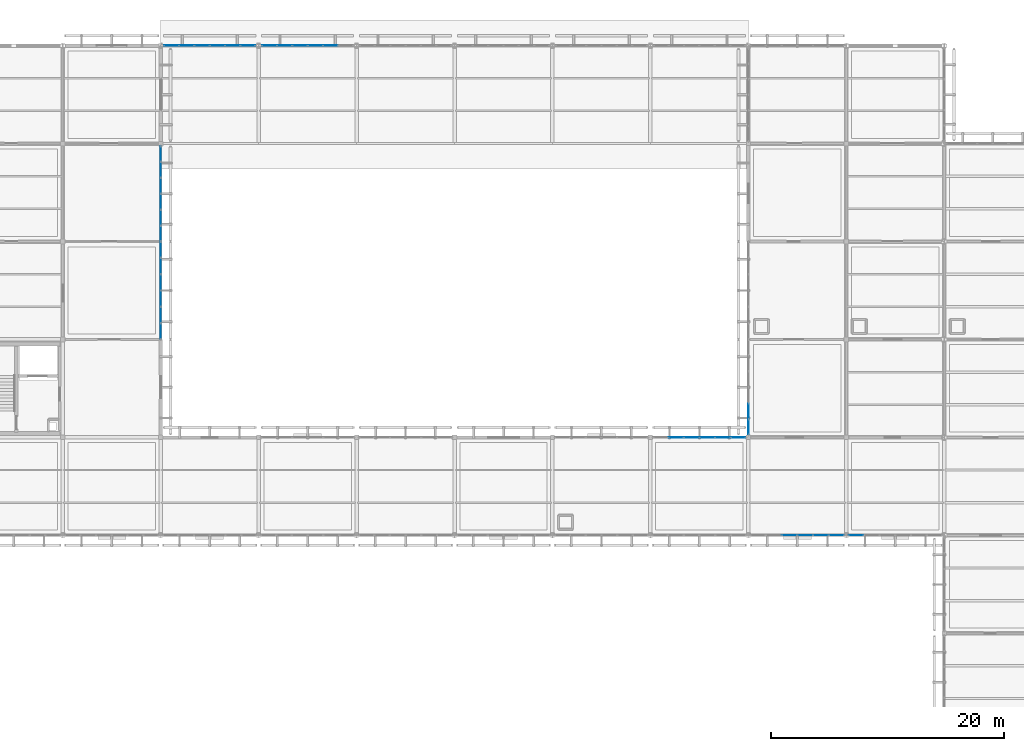
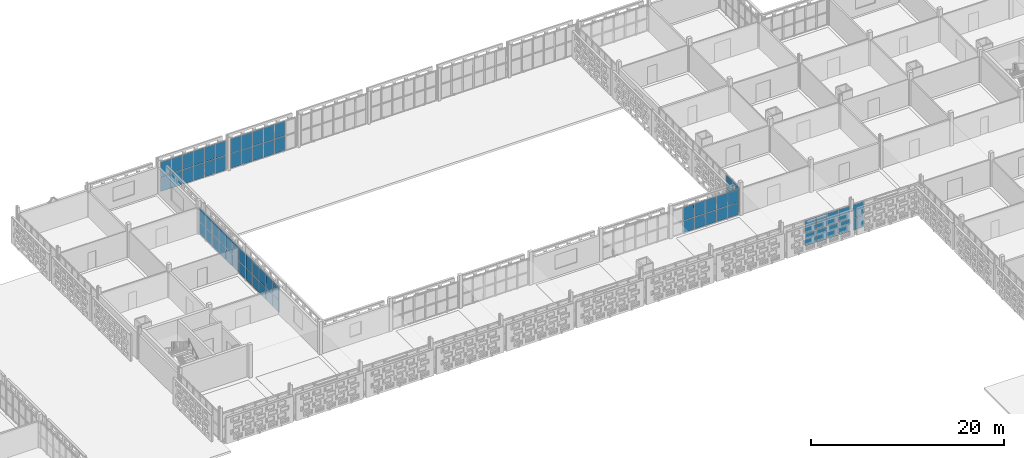
# One storey, part 86 of 166: 70 plates, 8 elements without a shape of their own.
"""IFC4 building model written with IfcOpenShell, lengths in metres."""

from ifc_helpers import new_model, si_unit, direction, frame, origin, origin_2d, place, context, subcontext, project, spatial, rectangle, extrude, material, layer, layer_set, type_object, element, aggregate, save


model = new_model("IFC4")

# Units and contexts
model_context = context("Model", 3, precision=1e-05, world=origin(), true_north=direction((0.0, 1.0)))
body_context = subcontext(model_context, "Body", "Model", "MODEL_VIEW")
ifc_project = project(units=[si_unit("LENGTHUNIT", "METRE"), si_unit("AREAUNIT", "SQUARE_METRE"), si_unit("VOLUMEUNIT", "CUBIC_METRE"), si_unit("PLANEANGLEUNIT", "RADIAN"), si_unit("MASSUNIT", "GRAM", prefix="KILO")], contexts=[model_context])

# Site, building, storey
site_placement = place(None, origin())
site = spatial("IfcSite", under=ifc_project, at=site_placement, CompositionType="ELEMENT")
building_placement = place(site_placement, origin())
building = spatial("IfcBuilding", under=site, at=building_placement, Name="Varnapada Polytechnic", CompositionType="ELEMENT")
storey_placement = place(building_placement, frame((0.0, 0.0, 9.60009765625)))
storey = spatial("IfcBuildingStorey", under=building, at=storey_placement, Name="L02", CompositionType="ELEMENT", Elevation=9.60009765625)

# Curtain wall, plates
ifc_material = material(Name="Double low-E laminated glass", Category="glass")
ifc_layer_1 = layer(ifc_material, 0.159912109375)
ifc_layer_set_1 = layer_set([ifc_layer_1], Name="Double low-E laminated glass")
curtain_wall_type_1 = type_object("IfcCurtainWallType", Name="Curtain Wall CW-02", PredefinedType="NOTDEFINED", material=ifc_layer_set_1)
curtain_wall_1_placement = place(storey_placement, origin())
curtain_wall_1 = element("IfcCurtainWall", 1, at=curtain_wall_1_placement, inside=storey, type_object=curtain_wall_type_1, Name="L02 unitised curtain wall CW-02 (163)", PredefinedType="NOTDEFINED")
ifc_layer_2 = layer(ifc_material, 0.028076171875)
ifc_layer_set_2 = layer_set([ifc_layer_2], Name="Double low-E laminated glass")
plate_type = type_object("IfcPlateType", Name="Curtain Panel PNL-01", PredefinedType="CURTAIN_PANEL", material=ifc_layer_set_2)
plate_1_placement = place(storey_placement, frame((67.199951171875, 108.485107421875, 0.06005859375), z_axis=(0.0, 0.0, 1.0), x_axis=(0.0, -1.0, 0.0)))
plate_1 = element("IfcPlate", 2, at=plate_1_placement, type_object=plate_type, Name="CW-02 panel 1.1", PredefinedType="CURTAIN_PANEL", context=body_context, shape_type="SweptSolid", body=[
    extrude(rectangle(XDim=1.31005859375, YDim=0.028076171875, at=origin_2d()), origin(), (0.0, 0.0, 1.0), 1.522705078125),
])
plate_2_placement = place(storey_placement, frame((67.199951171875, 108.485107421875, 1.642578125), z_axis=(0.0, 0.0, 1.0), x_axis=(0.0, -1.0, 0.0)))
plate_2 = element("IfcPlate", 3, at=plate_2_placement, type_object=plate_type, Name="CW-02 panel 1.2", PredefinedType="CURTAIN_PANEL", context=body_context, shape_type="SweptSolid", body=[
    extrude(rectangle(XDim=1.31005859375, YDim=0.028076171875, at=origin_2d()), origin(), (0.0, 0.0, 1.0), 1.6572265625),
])
plate_3_placement = place(storey_placement, frame((67.199951171875, 107.10009765625, 0.06005859375), z_axis=(0.0, 0.0, 1.0), x_axis=(0.0, -1.0, 0.0)))
plate_3 = element("IfcPlate", 4, at=plate_3_placement, type_object=plate_type, Name="CW-02 panel 2.1", PredefinedType="CURTAIN_PANEL", context=body_context, shape_type="SweptSolid", body=[
    extrude(rectangle(XDim=1.340087890625, YDim=0.028076171875, at=origin_2d()), origin(), (0.0, 0.0, 1.0), 1.522705078125),
])
plate_4_placement = place(storey_placement, frame((67.199951171875, 107.10009765625, 1.642578125), z_axis=(0.0, 0.0, 1.0), x_axis=(0.0, -1.0, 0.0)))
plate_4 = element("IfcPlate", 5, at=plate_4_placement, type_object=plate_type, Name="CW-02 panel 2.2", PredefinedType="CURTAIN_PANEL", context=body_context, shape_type="SweptSolid", body=[
    extrude(rectangle(XDim=1.340087890625, YDim=0.028076171875, at=origin_2d()), origin(), (0.0, 0.0, 1.0), 1.6572265625),
])
plate_5_placement = place(storey_placement, frame((67.199951171875, 105.699951171875, 0.06005859375), z_axis=(0.0, 0.0, 1.0), x_axis=(0.0, -1.0, 0.0)))
plate_5 = element("IfcPlate", 6, at=plate_5_placement, type_object=plate_type, Name="CW-02 panel 3.1", PredefinedType="CURTAIN_PANEL", context=body_context, shape_type="SweptSolid", body=[
    extrude(rectangle(XDim=1.340087890625, YDim=0.028076171875, at=origin_2d()), origin(), (0.0, 0.0, 1.0), 1.522705078125),
])
plate_6_placement = place(storey_placement, frame((67.199951171875, 105.699951171875, 1.642578125), z_axis=(0.0, 0.0, 1.0), x_axis=(0.0, -1.0, 0.0)))
plate_6 = element("IfcPlate", 7, at=plate_6_placement, type_object=plate_type, Name="CW-02 panel 3.2", PredefinedType="CURTAIN_PANEL", context=body_context, shape_type="SweptSolid", body=[
    extrude(rectangle(XDim=1.340087890625, YDim=0.028076171875, at=origin_2d()), origin(), (0.0, 0.0, 1.0), 1.6572265625),
])
plate_7_placement = place(storey_placement, frame((67.199951171875, 104.300048828125, 0.06005859375), z_axis=(0.0, 0.0, 1.0), x_axis=(0.0, -1.0, 0.0)))
plate_7 = element("IfcPlate", 8, at=plate_7_placement, type_object=plate_type, Name="CW-02 panel 4.1", PredefinedType="CURTAIN_PANEL", context=body_context, shape_type="SweptSolid", body=[
    extrude(rectangle(XDim=1.340087890625, YDim=0.028076171875, at=origin_2d()), origin(), (0.0, 0.0, 1.0), 1.522705078125),
])
plate_8_placement = place(storey_placement, frame((67.199951171875, 104.300048828125, 1.642578125), z_axis=(0.0, 0.0, 1.0), x_axis=(0.0, -1.0, 0.0)))
plate_8 = element("IfcPlate", 9, at=plate_8_placement, type_object=plate_type, Name="CW-02 panel 4.2", PredefinedType="CURTAIN_PANEL", context=body_context, shape_type="SweptSolid", body=[
    extrude(rectangle(XDim=1.340087890625, YDim=0.028076171875, at=origin_2d()), origin(), (0.0, 0.0, 1.0), 1.6572265625),
])
plate_9_placement = place(storey_placement, frame((67.199951171875, 102.89990234375, 0.06005859375), z_axis=(0.0, 0.0, 1.0), x_axis=(0.0, -1.0, 0.0)))
plate_9 = element("IfcPlate", 10, at=plate_9_placement, type_object=plate_type, Name="CW-02 panel 5.1", PredefinedType="CURTAIN_PANEL", context=body_context, shape_type="SweptSolid", body=[
    extrude(rectangle(XDim=1.340087890625, YDim=0.028076171875, at=origin_2d()), origin(), (0.0, 0.0, 1.0), 1.522705078125),
])
plate_10_placement = place(storey_placement, frame((67.199951171875, 102.89990234375, 1.642578125), z_axis=(0.0, 0.0, 1.0), x_axis=(0.0, -1.0, 0.0)))
plate_10 = element("IfcPlate", 11, at=plate_10_placement, type_object=plate_type, Name="CW-02 panel 5.2", PredefinedType="CURTAIN_PANEL", context=body_context, shape_type="SweptSolid", body=[
    extrude(rectangle(XDim=1.340087890625, YDim=0.028076171875, at=origin_2d()), origin(), (0.0, 0.0, 1.0), 1.6572265625),
])
plate_11_placement = place(storey_placement, frame((67.199951171875, 101.514892578125, 0.06005859375), z_axis=(0.0, 0.0, 1.0), x_axis=(0.0, -1.0, 0.0)))
plate_11 = element("IfcPlate", 12, at=plate_11_placement, type_object=plate_type, Name="CW-02 panel 6.1", PredefinedType="CURTAIN_PANEL", context=body_context, shape_type="SweptSolid", body=[
    extrude(rectangle(XDim=1.31005859375, YDim=0.028076171875, at=origin_2d()), origin(), (0.0, 0.0, 1.0), 1.522705078125),
])
plate_12_placement = place(storey_placement, frame((67.199951171875, 101.514892578125, 1.642578125), z_axis=(0.0, 0.0, 1.0), x_axis=(0.0, -1.0, 0.0)))
plate_12 = element("IfcPlate", 13, at=plate_12_placement, type_object=plate_type, Name="CW-02 panel 6.2", PredefinedType="CURTAIN_PANEL", context=body_context, shape_type="SweptSolid", body=[
    extrude(rectangle(XDim=1.31005859375, YDim=0.028076171875, at=origin_2d()), origin(), (0.0, 0.0, 1.0), 1.6572265625),
])
aggregate(curtain_wall_1, [plate_1, plate_2, plate_3, plate_4, plate_5, plate_6, plate_7, plate_8, plate_9, plate_10, plate_11, plate_12])

curtain_wall_2_placement = place(storey_placement, origin())
curtain_wall_2 = element("IfcCurtainWall", 14, at=curtain_wall_2_placement, inside=storey, type_object=curtain_wall_type_1, Name="L02 unitised curtain wall CW-02 (164)", PredefinedType="NOTDEFINED")
plate_13_placement = place(storey_placement, frame((67.199951171875, 116.7109375, 0.06005859375), z_axis=(0.0, 0.0, 1.0), x_axis=(0.0, -1.0, 0.0)))
plate_13 = element("IfcPlate", 15, at=plate_13_placement, type_object=plate_type, Name="CW-02 panel 1.1", PredefinedType="CURTAIN_PANEL", context=body_context, shape_type="SweptSolid", body=[
    extrude(rectangle(XDim=1.2783203125, YDim=0.028076171875, at=origin_2d()), origin(), (0.0, 0.0, 1.0), 1.522705078125),
])
plate_14_placement = place(storey_placement, frame((67.199951171875, 116.7109375, 1.642578125), z_axis=(0.0, 0.0, 1.0), x_axis=(0.0, -1.0, 0.0)))
plate_14 = element("IfcPlate", 16, at=plate_14_placement, type_object=plate_type, Name="CW-02 panel 1.2", PredefinedType="CURTAIN_PANEL", context=body_context, shape_type="SweptSolid", body=[
    extrude(rectangle(XDim=1.2783203125, YDim=0.028076171875, at=origin_2d()), origin(), (0.0, 0.0, 1.0), 1.6572265625),
])
plate_15_placement = place(storey_placement, frame((67.199951171875, 115.357421875, 0.06005859375), z_axis=(0.0, 0.0, 1.0), x_axis=(0.0, -1.0, 0.0)))
plate_15 = element("IfcPlate", 17, at=plate_15_placement, type_object=plate_type, Name="CW-02 panel 2.1", PredefinedType="CURTAIN_PANEL", context=body_context, shape_type="SweptSolid", body=[
    extrude(rectangle(XDim=1.308349609375, YDim=0.028076171875, at=origin_2d()), origin(), (0.0, 0.0, 1.0), 1.522705078125),
])
plate_16_placement = place(storey_placement, frame((67.199951171875, 115.357421875, 1.642578125), z_axis=(0.0, 0.0, 1.0), x_axis=(0.0, -1.0, 0.0)))
plate_16 = element("IfcPlate", 18, at=plate_16_placement, type_object=plate_type, Name="CW-02 panel 2.2", PredefinedType="CURTAIN_PANEL", context=body_context, shape_type="SweptSolid", body=[
    extrude(rectangle(XDim=1.308349609375, YDim=0.028076171875, at=origin_2d()), origin(), (0.0, 0.0, 1.0), 1.6572265625),
])
plate_17_placement = place(storey_placement, frame((67.199951171875, 113.9892578125, 0.06005859375), z_axis=(0.0, 0.0, 1.0), x_axis=(0.0, -1.0, 0.0)))
plate_17 = element("IfcPlate", 19, at=plate_17_placement, type_object=plate_type, Name="CW-02 panel 3.1", PredefinedType="CURTAIN_PANEL", context=body_context, shape_type="SweptSolid", body=[
    extrude(rectangle(XDim=1.308349609375, YDim=0.028076171875, at=origin_2d()), origin(), (0.0, 0.0, 1.0), 1.522705078125),
])
plate_18_placement = place(storey_placement, frame((67.199951171875, 113.9892578125, 1.642578125), z_axis=(0.0, 0.0, 1.0), x_axis=(0.0, -1.0, 0.0)))
plate_18 = element("IfcPlate", 20, at=plate_18_placement, type_object=plate_type, Name="CW-02 panel 3.2", PredefinedType="CURTAIN_PANEL", context=body_context, shape_type="SweptSolid", body=[
    extrude(rectangle(XDim=1.308349609375, YDim=0.028076171875, at=origin_2d()), origin(), (0.0, 0.0, 1.0), 1.6572265625),
])
plate_19_placement = place(storey_placement, frame((67.199951171875, 112.620849609375, 0.06005859375), z_axis=(0.0, 0.0, 1.0), x_axis=(0.0, -1.0, 0.0)))
plate_19 = element("IfcPlate", 21, at=plate_19_placement, type_object=plate_type, Name="CW-02 panel 4.1", PredefinedType="CURTAIN_PANEL", context=body_context, shape_type="SweptSolid", body=[
    extrude(rectangle(XDim=1.308349609375, YDim=0.028076171875, at=origin_2d()), origin(), (0.0, 0.0, 1.0), 1.522705078125),
])
plate_20_placement = place(storey_placement, frame((67.199951171875, 112.620849609375, 1.642578125), z_axis=(0.0, 0.0, 1.0), x_axis=(0.0, -1.0, 0.0)))
plate_20 = element("IfcPlate", 22, at=plate_20_placement, type_object=plate_type, Name="CW-02 panel 4.2", PredefinedType="CURTAIN_PANEL", context=body_context, shape_type="SweptSolid", body=[
    extrude(rectangle(XDim=1.308349609375, YDim=0.028076171875, at=origin_2d()), origin(), (0.0, 0.0, 1.0), 1.6572265625),
])
plate_21_placement = place(storey_placement, frame((67.199951171875, 111.25244140625, 0.06005859375), z_axis=(0.0, 0.0, 1.0), x_axis=(0.0, -1.0, 0.0)))
plate_21 = element("IfcPlate", 23, at=plate_21_placement, type_object=plate_type, Name="CW-02 panel 5.1", PredefinedType="CURTAIN_PANEL", context=body_context, shape_type="SweptSolid", body=[
    extrude(rectangle(XDim=1.308349609375, YDim=0.028076171875, at=origin_2d()), origin(), (0.0, 0.0, 1.0), 1.522705078125),
])
plate_22_placement = place(storey_placement, frame((67.199951171875, 111.25244140625, 1.642578125), z_axis=(0.0, 0.0, 1.0), x_axis=(0.0, -1.0, 0.0)))
plate_22 = element("IfcPlate", 24, at=plate_22_placement, type_object=plate_type, Name="CW-02 panel 5.2", PredefinedType="CURTAIN_PANEL", context=body_context, shape_type="SweptSolid", body=[
    extrude(rectangle(XDim=1.308349609375, YDim=0.028076171875, at=origin_2d()), origin(), (0.0, 0.0, 1.0), 1.6572265625),
])
plate_23_placement = place(storey_placement, frame((67.199951171875, 109.899169921875, 0.06005859375), z_axis=(0.0, 0.0, 1.0), x_axis=(0.0, -1.0, 0.0)))
plate_23 = element("IfcPlate", 25, at=plate_23_placement, type_object=plate_type, Name="CW-02 panel 6.1", PredefinedType="CURTAIN_PANEL", context=body_context, shape_type="SweptSolid", body=[
    extrude(rectangle(XDim=1.2783203125, YDim=0.028076171875, at=origin_2d()), origin(), (0.0, 0.0, 1.0), 1.522705078125),
])
plate_24_placement = place(storey_placement, frame((67.199951171875, 109.899169921875, 1.642578125), z_axis=(0.0, 0.0, 1.0), x_axis=(0.0, -1.0, 0.0)))
plate_24 = element("IfcPlate", 26, at=plate_24_placement, type_object=plate_type, Name="CW-02 panel 6.2", PredefinedType="CURTAIN_PANEL", context=body_context, shape_type="SweptSolid", body=[
    extrude(rectangle(XDim=1.2783203125, YDim=0.028076171875, at=origin_2d()), origin(), (0.0, 0.0, 1.0), 1.6572265625),
])
aggregate(curtain_wall_2, [plate_13, plate_14, plate_15, plate_16, plate_17, plate_18, plate_19, plate_20, plate_21, plate_22, plate_23, plate_24])

curtain_wall_3_placement = place(storey_placement, origin())
curtain_wall_3 = element("IfcCurtainWall", 27, at=curtain_wall_3_placement, inside=storey, type_object=curtain_wall_type_1, Name="L02 unitised curtain wall CW-02 (174)", PredefinedType="NOTDEFINED")
plate_25_placement = place(storey_placement, frame((111.402587890625, 92.39990234375, 0.06005859375), z_axis=(0.0, 0.0, 1.0), x_axis=(1.0, 0.0, 0.0)))
plate_25 = element("IfcPlate", 28, at=plate_25_placement, type_object=plate_type, Name="CW-02 panel 2.1", PredefinedType="CURTAIN_PANEL", context=body_context, shape_type="SweptSolid", body=[
    extrude(rectangle(XDim=1.27490234375, YDim=0.028076171875, at=origin_2d()), origin(), (0.0, 0.0, 1.0), 1.522705078125),
])
plate_26_placement = place(storey_placement, frame((111.402587890625, 92.39990234375, 1.642578125), z_axis=(0.0, 0.0, 1.0), x_axis=(1.0, 0.0, 0.0)))
plate_26 = element("IfcPlate", 29, at=plate_26_placement, type_object=plate_type, Name="CW-02 panel 2.2", PredefinedType="CURTAIN_PANEL", context=body_context, shape_type="SweptSolid", body=[
    extrude(rectangle(XDim=1.27490234375, YDim=0.028076171875, at=origin_2d()), origin(), (0.0, 0.0, 1.0), 1.6572265625),
])
plate_27_placement = place(storey_placement, frame((112.737548828125, 92.39990234375, 0.06005859375), z_axis=(0.0, 0.0, 1.0), x_axis=(1.0, 0.0, 0.0)))
plate_27 = element("IfcPlate", 30, at=plate_27_placement, type_object=plate_type, Name="CW-02 panel 3.1", PredefinedType="CURTAIN_PANEL", context=body_context, shape_type="SweptSolid", body=[
    extrude(rectangle(XDim=1.27490234375, YDim=0.028076171875, at=origin_2d()), origin(), (0.0, 0.0, 1.0), 1.522705078125),
])
plate_28_placement = place(storey_placement, frame((112.737548828125, 92.39990234375, 1.642578125), z_axis=(0.0, 0.0, 1.0), x_axis=(1.0, 0.0, 0.0)))
plate_28 = element("IfcPlate", 31, at=plate_28_placement, type_object=plate_type, Name="CW-02 panel 3.2", PredefinedType="CURTAIN_PANEL", context=body_context, shape_type="SweptSolid", body=[
    extrude(rectangle(XDim=1.27490234375, YDim=0.028076171875, at=origin_2d()), origin(), (0.0, 0.0, 1.0), 1.6572265625),
])
plate_29_placement = place(storey_placement, frame((114.072509765625, 92.39990234375, 0.06005859375), z_axis=(0.0, 0.0, 1.0), x_axis=(1.0, 0.0, 0.0)))
plate_29 = element("IfcPlate", 32, at=plate_29_placement, type_object=plate_type, Name="CW-02 panel 4.1", PredefinedType="CURTAIN_PANEL", context=body_context, shape_type="SweptSolid", body=[
    extrude(rectangle(XDim=1.27490234375, YDim=0.028076171875, at=origin_2d()), origin(), (0.0, 0.0, 1.0), 1.522705078125),
])
plate_30_placement = place(storey_placement, frame((114.072509765625, 92.39990234375, 1.642578125), z_axis=(0.0, 0.0, 1.0), x_axis=(1.0, 0.0, 0.0)))
plate_30 = element("IfcPlate", 33, at=plate_30_placement, type_object=plate_type, Name="CW-02 panel 4.2", PredefinedType="CURTAIN_PANEL", context=body_context, shape_type="SweptSolid", body=[
    extrude(rectangle(XDim=1.27490234375, YDim=0.028076171875, at=origin_2d()), origin(), (0.0, 0.0, 1.0), 1.6572265625),
])
plate_31_placement = place(storey_placement, frame((115.407470703125, 92.39990234375, 0.06005859375), z_axis=(0.0, 0.0, 1.0), x_axis=(1.0, 0.0, 0.0)))
plate_31 = element("IfcPlate", 34, at=plate_31_placement, type_object=plate_type, Name="CW-02 panel 5.1", PredefinedType="CURTAIN_PANEL", context=body_context, shape_type="SweptSolid", body=[
    extrude(rectangle(XDim=1.27490234375, YDim=0.028076171875, at=origin_2d()), origin(), (0.0, 0.0, 1.0), 1.522705078125),
])
plate_32_placement = place(storey_placement, frame((115.407470703125, 92.39990234375, 1.642578125), z_axis=(0.0, 0.0, 1.0), x_axis=(1.0, 0.0, 0.0)))
plate_32 = element("IfcPlate", 35, at=plate_32_placement, type_object=plate_type, Name="CW-02 panel 5.2", PredefinedType="CURTAIN_PANEL", context=body_context, shape_type="SweptSolid", body=[
    extrude(rectangle(XDim=1.27490234375, YDim=0.028076171875, at=origin_2d()), origin(), (0.0, 0.0, 1.0), 1.6572265625),
])
plate_33_placement = place(storey_placement, frame((116.7275390625, 92.39990234375, 0.06005859375), z_axis=(0.0, 0.0, 1.0), x_axis=(1.0, 0.0, 0.0)))
plate_33 = element("IfcPlate", 36, at=plate_33_placement, type_object=plate_type, Name="CW-02 panel 6.1", PredefinedType="CURTAIN_PANEL", context=body_context, shape_type="SweptSolid", body=[
    extrude(rectangle(XDim=1.2451171875, YDim=0.028076171875, at=origin_2d()), origin(), (0.0, 0.0, 1.0), 1.522705078125),
])
plate_34_placement = place(storey_placement, frame((116.7275390625, 92.39990234375, 1.642578125), z_axis=(0.0, 0.0, 1.0), x_axis=(1.0, 0.0, 0.0)))
plate_34 = element("IfcPlate", 37, at=plate_34_placement, type_object=plate_type, Name="CW-02 panel 6.2", PredefinedType="CURTAIN_PANEL", context=body_context, shape_type="SweptSolid", body=[
    extrude(rectangle(XDim=1.2451171875, YDim=0.028076171875, at=origin_2d()), origin(), (0.0, 0.0, 1.0), 1.6572265625),
])
aggregate(curtain_wall_3, [plate_25, plate_26, plate_27, plate_28, plate_29, plate_30, plate_31, plate_32, plate_33, plate_34])

ifc_layer_3 = layer(ifc_material, 0.159912109375)
ifc_layer_set_3 = layer_set([ifc_layer_3], Name="Double low-E laminated glass")
curtain_wall_type_2 = type_object("IfcCurtainWallType", Name="Curtain Wall CW-01", PredefinedType="NOTDEFINED", material=ifc_layer_set_3)
curtain_wall_4_placement = place(storey_placement, origin())
curtain_wall_4 = element("IfcCurtainWall", 38, at=curtain_wall_4_placement, inside=storey, type_object=curtain_wall_type_2, Name="L02 unitised curtain wall CW-01 (175)", PredefinedType="NOTDEFINED")
plate_35_placement = place(storey_placement, frame((125.159912109375, 84.0, 0.06005859375), z_axis=(0.0, 0.0, 1.0), x_axis=(-1.0, 0.0, 0.0)))
plate_35 = element("IfcPlate", 39, at=plate_35_placement, type_object=plate_type, Name="CW-01 panel 1.1", PredefinedType="CURTAIN_PANEL", context=body_context, shape_type="SweptSolid", body=[
    extrude(rectangle(XDim=1.260009765625, YDim=0.028076171875, at=origin_2d()), origin(), (0.0, 0.0, 1.0), 1.522705078125),
])
plate_36_placement = place(storey_placement, frame((125.159912109375, 84.0, 1.642578125), z_axis=(0.0, 0.0, 1.0), x_axis=(-1.0, 0.0, 0.0)))
plate_36 = element("IfcPlate", 40, at=plate_36_placement, type_object=plate_type, Name="CW-01 panel 1.2", PredefinedType="CURTAIN_PANEL", context=body_context, shape_type="SweptSolid", body=[
    extrude(rectangle(XDim=1.260009765625, YDim=0.028076171875, at=origin_2d()), origin(), (0.0, 0.0, 1.0), 1.6572265625),
])
plate_37_placement = place(storey_placement, frame((123.824951171875, 84.0, 0.06005859375), z_axis=(0.0, 0.0, 1.0), x_axis=(-1.0, 0.0, 0.0)))
plate_37 = element("IfcPlate", 41, at=plate_37_placement, type_object=plate_type, Name="CW-01 panel 2.1", PredefinedType="CURTAIN_PANEL", context=body_context, shape_type="SweptSolid", body=[
    extrude(rectangle(XDim=1.2900390625, YDim=0.028076171875, at=origin_2d()), origin(), (0.0, 0.0, 1.0), 1.522705078125),
])
plate_38_placement = place(storey_placement, frame((123.824951171875, 84.0, 1.642578125), z_axis=(0.0, 0.0, 1.0), x_axis=(-1.0, 0.0, 0.0)))
plate_38 = element("IfcPlate", 42, at=plate_38_placement, type_object=plate_type, Name="CW-01 panel 2.2", PredefinedType="CURTAIN_PANEL", context=body_context, shape_type="SweptSolid", body=[
    extrude(rectangle(XDim=1.2900390625, YDim=0.028076171875, at=origin_2d()), origin(), (0.0, 0.0, 1.0), 1.6572265625),
])
plate_39_placement = place(storey_placement, frame((122.47509765625, 84.0, 0.06005859375), z_axis=(0.0, 0.0, 1.0), x_axis=(-1.0, 0.0, 0.0)))
plate_39 = element("IfcPlate", 43, at=plate_39_placement, type_object=plate_type, Name="CW-01 panel 3.1", PredefinedType="CURTAIN_PANEL", context=body_context, shape_type="SweptSolid", body=[
    extrude(rectangle(XDim=1.2900390625, YDim=0.028076171875, at=origin_2d()), origin(), (0.0, 0.0, 1.0), 1.522705078125),
])
plate_40_placement = place(storey_placement, frame((122.47509765625, 84.0, 1.642578125), z_axis=(0.0, 0.0, 1.0), x_axis=(-1.0, 0.0, 0.0)))
plate_40 = element("IfcPlate", 44, at=plate_40_placement, type_object=plate_type, Name="CW-01 panel 3.2", PredefinedType="CURTAIN_PANEL", context=body_context, shape_type="SweptSolid", body=[
    extrude(rectangle(XDim=1.2900390625, YDim=0.028076171875, at=origin_2d()), origin(), (0.0, 0.0, 1.0), 1.6572265625),
])
plate_41_placement = place(storey_placement, frame((121.125, 84.0, 0.06005859375), z_axis=(0.0, 0.0, 1.0), x_axis=(-1.0, 0.0, 0.0)))
plate_41 = element("IfcPlate", 45, at=plate_41_placement, type_object=plate_type, Name="CW-01 panel 4.1", PredefinedType="CURTAIN_PANEL", context=body_context, shape_type="SweptSolid", body=[
    extrude(rectangle(XDim=1.2900390625, YDim=0.028076171875, at=origin_2d()), origin(), (0.0, 0.0, 1.0), 1.522705078125),
])
plate_42_placement = place(storey_placement, frame((121.125, 84.0, 1.642578125), z_axis=(0.0, 0.0, 1.0), x_axis=(-1.0, 0.0, 0.0)))
plate_42 = element("IfcPlate", 46, at=plate_42_placement, type_object=plate_type, Name="CW-01 panel 4.2", PredefinedType="CURTAIN_PANEL", context=body_context, shape_type="SweptSolid", body=[
    extrude(rectangle(XDim=1.2900390625, YDim=0.028076171875, at=origin_2d()), origin(), (0.0, 0.0, 1.0), 1.6572265625),
])
aggregate(curtain_wall_4, [plate_35, plate_36, plate_37, plate_38, plate_39, plate_40, plate_41, plate_42])

curtain_wall_5_placement = place(storey_placement, origin())
curtain_wall_5 = element("IfcCurtainWall", 47, at=curtain_wall_5_placement, inside=storey, type_object=curtain_wall_type_1, Name="L02 unitised curtain wall CW-02 (176)", PredefinedType="NOTDEFINED")
plate_43_placement = place(storey_placement, frame((117.60009765625, 93.2890625, 0.06005859375), z_axis=(0.0, 0.0, 1.0), x_axis=(0.0, 1.0, 0.0)))
plate_43 = element("IfcPlate", 48, at=plate_43_placement, type_object=plate_type, Name="CW-02 panel 1.1", PredefinedType="CURTAIN_PANEL", context=body_context, shape_type="SweptSolid", body=[
    extrude(rectangle(XDim=1.2783203125, YDim=0.028076171875, at=origin_2d()), origin(), (0.0, 0.0, 1.0), 1.522705078125),
])
plate_44_placement = place(storey_placement, frame((117.60009765625, 93.2890625, 1.642578125), z_axis=(0.0, 0.0, 1.0), x_axis=(0.0, 1.0, 0.0)))
plate_44 = element("IfcPlate", 49, at=plate_44_placement, type_object=plate_type, Name="CW-02 panel 1.2", PredefinedType="CURTAIN_PANEL", context=body_context, shape_type="SweptSolid", body=[
    extrude(rectangle(XDim=1.2783203125, YDim=0.028076171875, at=origin_2d()), origin(), (0.0, 0.0, 1.0), 1.6572265625),
])
plate_45_placement = place(storey_placement, frame((117.60009765625, 94.642578125, 0.06005859375), z_axis=(0.0, 0.0, 1.0), x_axis=(0.0, 1.0, 0.0)))
plate_45 = element("IfcPlate", 50, at=plate_45_placement, type_object=plate_type, Name="CW-02 panel 2.1", PredefinedType="CURTAIN_PANEL", context=body_context, shape_type="SweptSolid", body=[
    extrude(rectangle(XDim=1.308349609375, YDim=0.028076171875, at=origin_2d()), origin(), (0.0, 0.0, 1.0), 1.522705078125),
])
plate_46_placement = place(storey_placement, frame((117.60009765625, 94.642578125, 1.642578125), z_axis=(0.0, 0.0, 1.0), x_axis=(0.0, 1.0, 0.0)))
plate_46 = element("IfcPlate", 51, at=plate_46_placement, type_object=plate_type, Name="CW-02 panel 2.2", PredefinedType="CURTAIN_PANEL", context=body_context, shape_type="SweptSolid", body=[
    extrude(rectangle(XDim=1.308349609375, YDim=0.028076171875, at=origin_2d()), origin(), (0.0, 0.0, 1.0), 1.6572265625),
])
aggregate(curtain_wall_5, [plate_43, plate_44, plate_45, plate_46])

curtain_wall_6_placement = place(storey_placement, origin())
curtain_wall_6 = element("IfcCurtainWall", 52, at=curtain_wall_6_placement, inside=storey, type_object=curtain_wall_type_2, Name="L02 unitised curtain wall CW-01 (180)", PredefinedType="NOTDEFINED")
plate_47_placement = place(storey_placement, frame((126.840087890625, 84.0, 0.06005859375), z_axis=(0.0, 0.0, 1.0), x_axis=(-1.0, 0.0, 0.0)))
plate_47 = element("IfcPlate", 53, at=plate_47_placement, type_object=plate_type, Name="CW-01 panel 6.1", PredefinedType="CURTAIN_PANEL", context=body_context, shape_type="SweptSolid", body=[
    extrude(rectangle(XDim=1.260009765625, YDim=0.028076171875, at=origin_2d()), origin(), (0.0, 0.0, 1.0), 1.522705078125),
])
plate_48_placement = place(storey_placement, frame((126.840087890625, 84.0, 1.642578125), z_axis=(0.0, 0.0, 1.0), x_axis=(-1.0, 0.0, 0.0)))
plate_48 = element("IfcPlate", 54, at=plate_48_placement, type_object=plate_type, Name="CW-01 panel 6.2", PredefinedType="CURTAIN_PANEL", context=body_context, shape_type="SweptSolid", body=[
    extrude(rectangle(XDim=1.260009765625, YDim=0.028076171875, at=origin_2d()), origin(), (0.0, 0.0, 1.0), 1.6572265625),
])
aggregate(curtain_wall_6, [plate_47, plate_48])

curtain_wall_7_placement = place(storey_placement, origin())
curtain_wall_7 = element("IfcCurtainWall", 55, at=curtain_wall_7_placement, inside=storey, type_object=curtain_wall_type_1, Name="L02 high-bay workshop north curtain wall 9", PredefinedType="NOTDEFINED")
plate_49_placement = place(storey_placement, frame((68.123291015625, 126.0, 0.059814453125), z_axis=(0.0, 0.0, 1.0), x_axis=(1.0, 0.0, 0.0)))
plate_49 = element("IfcPlate", 56, at=plate_49_placement, type_object=plate_type, Name="CW-02 panel 1.1", PredefinedType="CURTAIN_PANEL", context=body_context, shape_type="SweptSolid", body=[
    extrude(rectangle(XDim=1.2265625, YDim=0.028076171875, at=origin_2d()), origin(), (0.0, 0.0, 1.0), 1.8349609375),
])
plate_50_placement = place(storey_placement, frame((68.123291015625, 126.0, 1.954833984375), z_axis=(0.0, 0.0, 1.0), x_axis=(1.0, 0.0, 0.0)))
plate_50 = element("IfcPlate", 57, at=plate_50_placement, type_object=plate_type, Name="CW-02 panel 1.2", PredefinedType="CURTAIN_PANEL", context=body_context, shape_type="SweptSolid", body=[
    extrude(rectangle(XDim=1.2265625, YDim=0.028076171875, at=origin_2d()), origin(), (0.0, 0.0, 1.0), 1.8349609375),
])
plate_51_placement = place(storey_placement, frame((69.425048828125, 126.0, 0.059814453125), z_axis=(0.0, 0.0, 1.0), x_axis=(1.0, 0.0, 0.0)))
plate_51 = element("IfcPlate", 58, at=plate_51_placement, type_object=plate_type, Name="CW-02 panel 2.1", PredefinedType="CURTAIN_PANEL", context=body_context, shape_type="SweptSolid", body=[
    extrude(rectangle(XDim=1.256591796875, YDim=0.028076171875, at=origin_2d()), origin(), (0.0, 0.0, 1.0), 1.8349609375),
])
plate_52_placement = place(storey_placement, frame((69.425048828125, 126.0, 1.954833984375), z_axis=(0.0, 0.0, 1.0), x_axis=(1.0, 0.0, 0.0)))
plate_52 = element("IfcPlate", 59, at=plate_52_placement, type_object=plate_type, Name="CW-02 panel 2.2", PredefinedType="CURTAIN_PANEL", context=body_context, shape_type="SweptSolid", body=[
    extrude(rectangle(XDim=1.256591796875, YDim=0.028076171875, at=origin_2d()), origin(), (0.0, 0.0, 1.0), 1.8349609375),
])
plate_53_placement = place(storey_placement, frame((70.74169921875, 126.0, 0.059814453125), z_axis=(0.0, 0.0, 1.0), x_axis=(1.0, 0.0, 0.0)))
plate_53 = element("IfcPlate", 60, at=plate_53_placement, type_object=plate_type, Name="CW-02 panel 3.1", PredefinedType="CURTAIN_PANEL", context=body_context, shape_type="SweptSolid", body=[
    extrude(rectangle(XDim=1.256591796875, YDim=0.028076171875, at=origin_2d()), origin(), (0.0, 0.0, 1.0), 1.8349609375),
])
plate_54_placement = place(storey_placement, frame((70.74169921875, 126.0, 1.954833984375), z_axis=(0.0, 0.0, 1.0), x_axis=(1.0, 0.0, 0.0)))
plate_54 = element("IfcPlate", 61, at=plate_54_placement, type_object=plate_type, Name="CW-02 panel 3.2", PredefinedType="CURTAIN_PANEL", context=body_context, shape_type="SweptSolid", body=[
    extrude(rectangle(XDim=1.256591796875, YDim=0.028076171875, at=origin_2d()), origin(), (0.0, 0.0, 1.0), 1.8349609375),
])
plate_55_placement = place(storey_placement, frame((72.058349609375, 126.0, 0.059814453125), z_axis=(0.0, 0.0, 1.0), x_axis=(1.0, 0.0, 0.0)))
plate_55 = element("IfcPlate", 62, at=plate_55_placement, type_object=plate_type, Name="CW-02 panel 4.1", PredefinedType="CURTAIN_PANEL", context=body_context, shape_type="SweptSolid", body=[
    extrude(rectangle(XDim=1.256591796875, YDim=0.028076171875, at=origin_2d()), origin(), (0.0, 0.0, 1.0), 1.8349609375),
])
plate_56_placement = place(storey_placement, frame((72.058349609375, 126.0, 1.954833984375), z_axis=(0.0, 0.0, 1.0), x_axis=(1.0, 0.0, 0.0)))
plate_56 = element("IfcPlate", 63, at=plate_56_placement, type_object=plate_type, Name="CW-02 panel 4.2", PredefinedType="CURTAIN_PANEL", context=body_context, shape_type="SweptSolid", body=[
    extrude(rectangle(XDim=1.256591796875, YDim=0.028076171875, at=origin_2d()), origin(), (0.0, 0.0, 1.0), 1.8349609375),
])
plate_57_placement = place(storey_placement, frame((73.375, 126.0, 0.059814453125), z_axis=(0.0, 0.0, 1.0), x_axis=(1.0, 0.0, 0.0)))
plate_57 = element("IfcPlate", 64, at=plate_57_placement, type_object=plate_type, Name="CW-02 panel 5.1", PredefinedType="CURTAIN_PANEL", context=body_context, shape_type="SweptSolid", body=[
    extrude(rectangle(XDim=1.256591796875, YDim=0.028076171875, at=origin_2d()), origin(), (0.0, 0.0, 1.0), 1.8349609375),
])
plate_58_placement = place(storey_placement, frame((73.375, 126.0, 1.954833984375), z_axis=(0.0, 0.0, 1.0), x_axis=(1.0, 0.0, 0.0)))
plate_58 = element("IfcPlate", 65, at=plate_58_placement, type_object=plate_type, Name="CW-02 panel 5.2", PredefinedType="CURTAIN_PANEL", context=body_context, shape_type="SweptSolid", body=[
    extrude(rectangle(XDim=1.256591796875, YDim=0.028076171875, at=origin_2d()), origin(), (0.0, 0.0, 1.0), 1.8349609375),
])
plate_59_placement = place(storey_placement, frame((74.6767578125, 126.0, 0.059814453125), z_axis=(0.0, 0.0, 1.0), x_axis=(1.0, 0.0, 0.0)))
plate_59 = element("IfcPlate", 66, at=plate_59_placement, type_object=plate_type, Name="CW-02 panel 6.1", PredefinedType="CURTAIN_PANEL", context=body_context, shape_type="SweptSolid", body=[
    extrude(rectangle(XDim=1.2265625, YDim=0.028076171875, at=origin_2d()), origin(), (0.0, 0.0, 1.0), 1.8349609375),
])
plate_60_placement = place(storey_placement, frame((74.6767578125, 126.0, 1.954833984375), z_axis=(0.0, 0.0, 1.0), x_axis=(1.0, 0.0, 0.0)))
plate_60 = element("IfcPlate", 67, at=plate_60_placement, type_object=plate_type, Name="CW-02 panel 6.2", PredefinedType="CURTAIN_PANEL", context=body_context, shape_type="SweptSolid", body=[
    extrude(rectangle(XDim=1.2265625, YDim=0.028076171875, at=origin_2d()), origin(), (0.0, 0.0, 1.0), 1.8349609375),
])
aggregate(curtain_wall_7, [plate_49, plate_50, plate_51, plate_52, plate_53, plate_54, plate_55, plate_56, plate_57, plate_58, plate_59, plate_60])

curtain_wall_8_placement = place(storey_placement, origin())
curtain_wall_8 = element("IfcCurtainWall", 68, at=curtain_wall_8_placement, inside=storey, type_object=curtain_wall_type_1, Name="L02 high-bay workshop north curtain wall 10", PredefinedType="NOTDEFINED")
plate_61_placement = place(storey_placement, frame((76.5234375, 126.0, 0.059814453125), z_axis=(0.0, 0.0, 1.0), x_axis=(1.0, 0.0, 0.0)))
plate_61 = element("IfcPlate", 69, at=plate_61_placement, type_object=plate_type, Name="CW-02 panel 1.1", PredefinedType="CURTAIN_PANEL", context=body_context, shape_type="SweptSolid", body=[
    extrude(rectangle(XDim=1.2265625, YDim=0.028076171875, at=origin_2d()), origin(), (0.0, 0.0, 1.0), 1.8349609375),
])
plate_62_placement = place(storey_placement, frame((76.5234375, 126.0, 1.954833984375), z_axis=(0.0, 0.0, 1.0), x_axis=(1.0, 0.0, 0.0)))
plate_62 = element("IfcPlate", 70, at=plate_62_placement, type_object=plate_type, Name="CW-02 panel 1.2", PredefinedType="CURTAIN_PANEL", context=body_context, shape_type="SweptSolid", body=[
    extrude(rectangle(XDim=1.2265625, YDim=0.028076171875, at=origin_2d()), origin(), (0.0, 0.0, 1.0), 1.8349609375),
])
plate_63_placement = place(storey_placement, frame((77.824951171875, 126.0, 0.059814453125), z_axis=(0.0, 0.0, 1.0), x_axis=(1.0, 0.0, 0.0)))
plate_63 = element("IfcPlate", 71, at=plate_63_placement, type_object=plate_type, Name="CW-02 panel 2.1", PredefinedType="CURTAIN_PANEL", context=body_context, shape_type="SweptSolid", body=[
    extrude(rectangle(XDim=1.256591796875, YDim=0.028076171875, at=origin_2d()), origin(), (0.0, 0.0, 1.0), 1.8349609375),
])
plate_64_placement = place(storey_placement, frame((77.824951171875, 126.0, 1.954833984375), z_axis=(0.0, 0.0, 1.0), x_axis=(1.0, 0.0, 0.0)))
plate_64 = element("IfcPlate", 72, at=plate_64_placement, type_object=plate_type, Name="CW-02 panel 2.2", PredefinedType="CURTAIN_PANEL", context=body_context, shape_type="SweptSolid", body=[
    extrude(rectangle(XDim=1.256591796875, YDim=0.028076171875, at=origin_2d()), origin(), (0.0, 0.0, 1.0), 1.8349609375),
])
plate_65_placement = place(storey_placement, frame((79.1416015625, 126.0, 0.059814453125), z_axis=(0.0, 0.0, 1.0), x_axis=(1.0, 0.0, 0.0)))
plate_65 = element("IfcPlate", 73, at=plate_65_placement, type_object=plate_type, Name="CW-02 panel 3.1", PredefinedType="CURTAIN_PANEL", context=body_context, shape_type="SweptSolid", body=[
    extrude(rectangle(XDim=1.256591796875, YDim=0.028076171875, at=origin_2d()), origin(), (0.0, 0.0, 1.0), 1.8349609375),
])
plate_66_placement = place(storey_placement, frame((79.1416015625, 126.0, 1.954833984375), z_axis=(0.0, 0.0, 1.0), x_axis=(1.0, 0.0, 0.0)))
plate_66 = element("IfcPlate", 74, at=plate_66_placement, type_object=plate_type, Name="CW-02 panel 3.2", PredefinedType="CURTAIN_PANEL", context=body_context, shape_type="SweptSolid", body=[
    extrude(rectangle(XDim=1.256591796875, YDim=0.028076171875, at=origin_2d()), origin(), (0.0, 0.0, 1.0), 1.8349609375),
])
plate_67_placement = place(storey_placement, frame((80.458251953125, 126.0, 0.059814453125), z_axis=(0.0, 0.0, 1.0), x_axis=(1.0, 0.0, 0.0)))
plate_67 = element("IfcPlate", 75, at=plate_67_placement, type_object=plate_type, Name="CW-02 panel 4.1", PredefinedType="CURTAIN_PANEL", context=body_context, shape_type="SweptSolid", body=[
    extrude(rectangle(XDim=1.256591796875, YDim=0.028076171875, at=origin_2d()), origin(), (0.0, 0.0, 1.0), 1.8349609375),
])
plate_68_placement = place(storey_placement, frame((80.458251953125, 126.0, 1.954833984375), z_axis=(0.0, 0.0, 1.0), x_axis=(1.0, 0.0, 0.0)))
plate_68 = element("IfcPlate", 76, at=plate_68_placement, type_object=plate_type, Name="CW-02 panel 4.2", PredefinedType="CURTAIN_PANEL", context=body_context, shape_type="SweptSolid", body=[
    extrude(rectangle(XDim=1.256591796875, YDim=0.028076171875, at=origin_2d()), origin(), (0.0, 0.0, 1.0), 1.8349609375),
])
plate_69_placement = place(storey_placement, frame((81.77490234375, 126.0, 0.059814453125), z_axis=(0.0, 0.0, 1.0), x_axis=(1.0, 0.0, 0.0)))
plate_69 = element("IfcPlate", 77, at=plate_69_placement, type_object=plate_type, Name="CW-02 panel 5.1", PredefinedType="CURTAIN_PANEL", context=body_context, shape_type="SweptSolid", body=[
    extrude(rectangle(XDim=1.256591796875, YDim=0.028076171875, at=origin_2d()), origin(), (0.0, 0.0, 1.0), 1.8349609375),
])
plate_70_placement = place(storey_placement, frame((81.77490234375, 126.0, 1.954833984375), z_axis=(0.0, 0.0, 1.0), x_axis=(1.0, 0.0, 0.0)))
plate_70 = element("IfcPlate", 78, at=plate_70_placement, type_object=plate_type, Name="CW-02 panel 5.2", PredefinedType="CURTAIN_PANEL", context=body_context, shape_type="SweptSolid", body=[
    extrude(rectangle(XDim=1.256591796875, YDim=0.028076171875, at=origin_2d()), origin(), (0.0, 0.0, 1.0), 1.8349609375),
])
aggregate(curtain_wall_8, [plate_61, plate_62, plate_63, plate_64, plate_65, plate_66, plate_67, plate_68, plate_69, plate_70])

save(model, "model.ifc")
